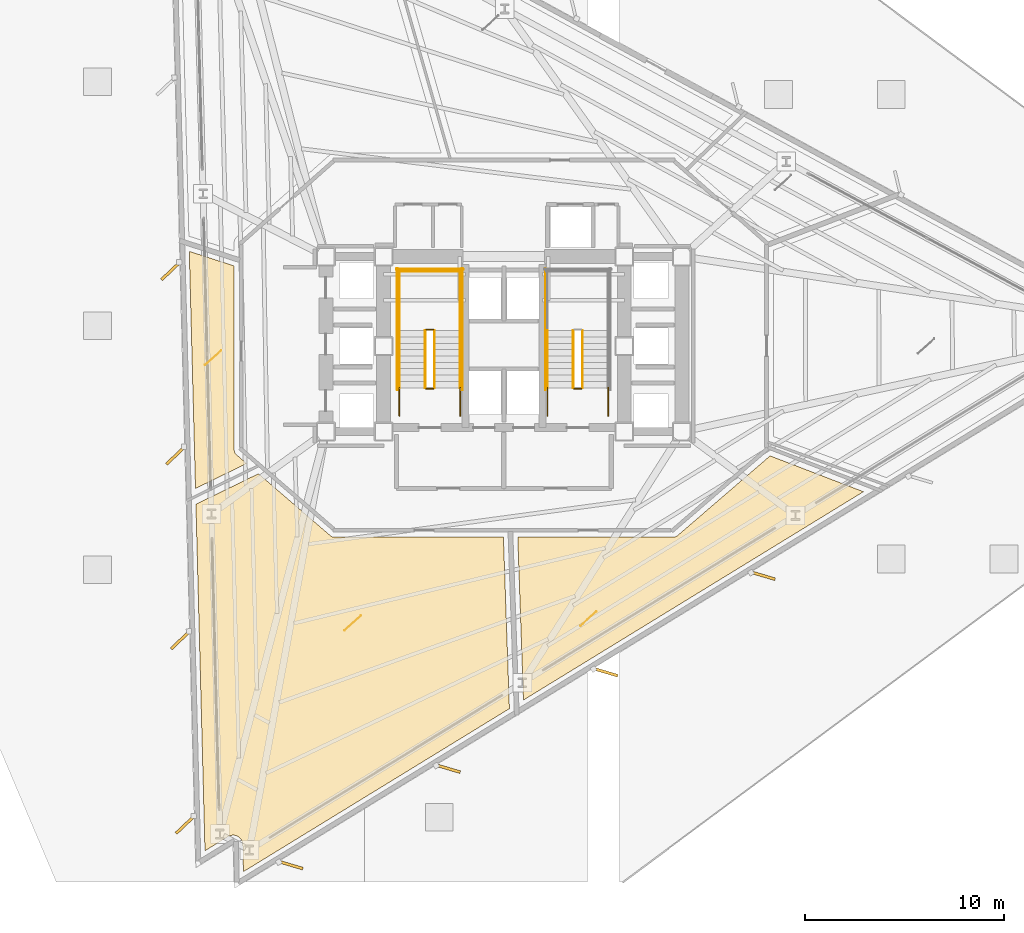
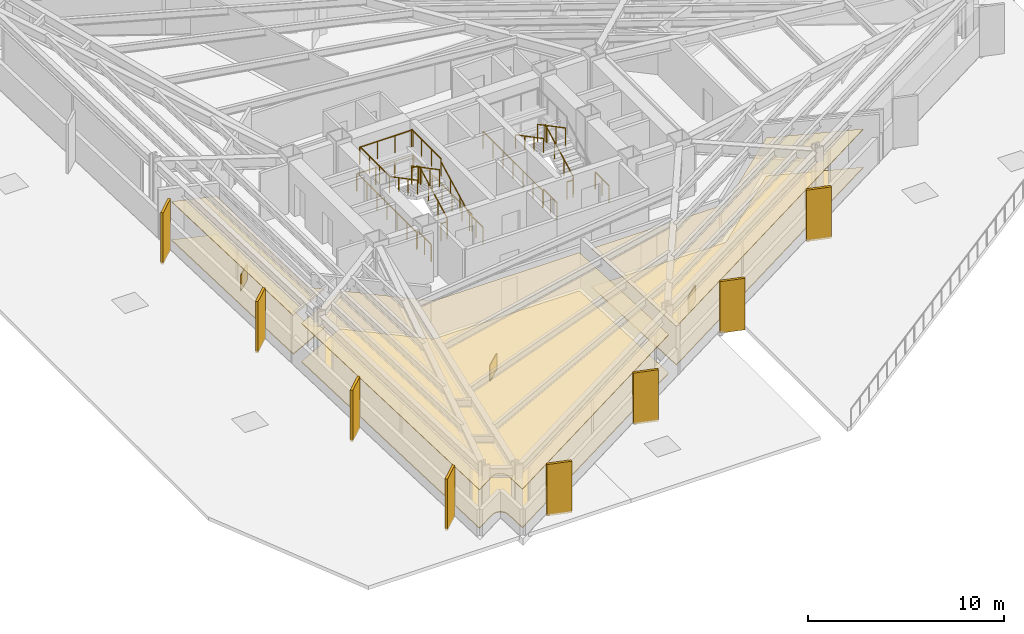
# One storey, part 11 of 13: 21 railings, 9 coverings, 8 shading devices.
"""IFC4 building model written with IfcOpenShell, lengths in metres."""

import ifcopenshell
import ifcopenshell.guid

model = None  # the IFC model being written
_history = None  # IfcOwnerHistory: only IFC2X3 demands one
_inside = {}  # id of a spatial element -> (the spatial element, [elements in it])
_under = {}  # id of a project, library or spatial element -> (it, [spatial elements below it])
_declared = {}  # id of a project -> (the project, [libraries it declares])
_typed = {}  # id of a type object -> (the type object, [elements of that type])
_made_of = {}  # id of a material, layer set ... -> (it, [elements and type objects made of it])


def new_model(schema):
    """Start an empty IFC model of exactly this schema.

    Asked for "IFC4X3", IfcOpenShell would pick the latest addendum, in which some entities
    have other attributes; the version numbers below select the first issue.
    IFC2X3 requires an IfcOwnerHistory on every rooted entity: one is made here for all.
    """
    global model, _history
    if schema == "IFC4X3":
        model = ifcopenshell.file(schema_version=(4, 3, 0, 0))
    else:
        model = ifcopenshell.file(schema=schema)
    _inside.clear()
    _under.clear()
    _declared.clear()
    _typed.clear()
    _made_of.clear()
    _history = None
    if model.schema == "IFC2X3":
        org = make("IfcOrganization", Name="unknown")
        user = make(
            "IfcPersonAndOrganization",
            ThePerson=make("IfcPerson", FamilyName="unknown"),
            TheOrganization=org,
        )
        app = make(
            "IfcApplication",
            ApplicationDeveloper=org,
            Version="unknown",
            ApplicationFullName="unknown",
            ApplicationIdentifier="unknown",
        )
        _history = make(
            "IfcOwnerHistory",
            OwningUser=user,
            OwningApplication=app,
            ChangeAction="ADDED",
            CreationDate=0,
        )
    return model


def make(cls, **values):
    """One entity of the class cls with the attributes given. An attribute that is None is left unset."""
    return model.create_entity(
        cls, **{name: value for name, value in values.items() if value is not None}
    )


def rooted(cls, **values):
    """An entity with a GlobalId (a new one), such as an element, a storey or a relation."""
    return make(cls, GlobalId=ifcopenshell.guid.new(), OwnerHistory=_history, **values)


def si_unit(unit_type, name, prefix=None):
    """IfcSIUnit, for example si_unit("LENGTHUNIT", "METRE", prefix="MILLI")."""
    return make("IfcSIUnit", UnitType=unit_type, Prefix=prefix, Name=name)


def assignment(units):
    """IfcUnitAssignment: the units of a project."""
    return None if units is None else make("IfcUnitAssignment", Units=units)


def point(xyz):
    """IfcCartesianPoint."""
    return None if xyz is None else make("IfcCartesianPoint", Coordinates=xyz)


def direction(xyz):
    """IfcDirection."""
    return None if xyz is None else make("IfcDirection", DirectionRatios=xyz)


def frame(location, z_axis=None, x_axis=None):
    """IfcAxis2Placement3D, a coordinate frame: its origin and axes. An axis left out is left unset."""
    return make(
        "IfcAxis2Placement3D",
        Location=point(location),
        Axis=direction(z_axis),
        RefDirection=direction(x_axis),
    )


def frame_2d(location, x_axis=None):
    """IfcAxis2Placement2D, a coordinate frame in the plane: its origin and x axis."""
    return make(
        "IfcAxis2Placement2D", Location=point(location), RefDirection=direction(x_axis)
    )


def origin():
    """The frame at (0, 0, 0) with its axes left unset."""
    return frame((0.0, 0.0, 0.0))


def origin_2d():
    """The frame at (0, 0) in the plane with its x axis left unset."""
    return frame_2d((0.0, 0.0))


def place(relative_to, where):
    """IfcLocalPlacement: puts the frame where relative to a parent placement (None: the world)."""
    return make(
        "IfcLocalPlacement", PlacementRelTo=relative_to, RelativePlacement=where
    )


def context(
    kind, dimensions, precision=None, world=None, true_north=None, identifier=None
):
    """IfcGeometricRepresentationContext, for example the 3D "Model" context."""
    return make(
        "IfcGeometricRepresentationContext",
        ContextIdentifier=identifier,
        ContextType=kind,
        CoordinateSpaceDimension=dimensions,
        Precision=precision,
        WorldCoordinateSystem=world,
        TrueNorth=true_north,
    )


def subcontext(parent, identifier, kind, view, scale=None):
    """IfcGeometricRepresentationSubContext, for example "Body" below "Model"."""
    return make(
        "IfcGeometricRepresentationSubContext",
        ContextIdentifier=identifier,
        ContextType=kind,
        ParentContext=parent,
        TargetScale=scale,
        TargetView=view,
    )


def project(units=None, contexts=None):
    """IfcProject with its units and contexts."""
    return rooted(
        "IfcProject",
        Name="project",
        RepresentationContexts=contexts,
        UnitsInContext=assignment(units),
    )


def spatial(cls, under=None, at=None, **own):
    """A site, building, storey or space (cls), placed at a placement, below another one or the project."""
    s = rooted(cls, ObjectPlacement=at, **own)
    if under is not None:
        _under.setdefault(under.id(), (under, []))[1].append(s)
    return s


def polyline(points):
    """IfcPolyline through the points."""
    return make("IfcPolyline", Points=[point(p) for p in points])


def profile(cls, at=None, kind="AREA", **sizes):
    """A parametric profile (cls). Its sizes go by their IFC names, for example OverallWidth=200.0."""
    return make(cls, ProfileType=kind, Position=at, **sizes)


def rectangle(**sizes):
    """IfcRectangleProfileDef."""
    return profile("IfcRectangleProfileDef", **sizes)


def outline(outer, holes=None, kind="AREA"):
    """IfcArbitraryClosedProfileDef: a profile drawn as a closed curve; with holes, ...WithVoids."""
    if holes is None:
        return make("IfcArbitraryClosedProfileDef", ProfileType=kind, OuterCurve=outer)
    return make(
        "IfcArbitraryProfileDefWithVoids",
        ProfileType=kind,
        OuterCurve=outer,
        InnerCurves=holes,
    )


def extrude(swept, where, along, depth):
    """IfcExtrudedAreaSolid: the profile swept, set in the frame where, extruded along a direction by depth."""
    return make(
        "IfcExtrudedAreaSolid",
        SweptArea=swept,
        Position=where,
        ExtrudedDirection=direction(along),
        Depth=depth,
    )


def shape(context_of_items, identifier, shape_type, items):
    """IfcShapeRepresentation: the items that make up one representation, for example the "Body"."""
    return make(
        "IfcShapeRepresentation",
        ContextOfItems=context_of_items,
        RepresentationIdentifier=identifier,
        RepresentationType=shape_type,
        Items=items,
    )


def material(Name=None, Category=None):
    """IfcMaterial."""
    return make("IfcMaterial", Name=Name, Category=Category)


def layer(
    of_material, thickness, ventilated=None, Name=None, Category=None, Priority=None
):
    """IfcMaterialLayer: one layer of a wall or slab, of a material (None: an air gap)."""
    return make(
        "IfcMaterialLayer",
        Material=of_material,
        LayerThickness=thickness,
        IsVentilated=ventilated,
        Name=Name,
        Category=Category,
        Priority=Priority,
    )


def layer_set(layers, Name=None):
    """IfcMaterialLayerSet."""
    return make("IfcMaterialLayerSet", MaterialLayers=layers, LayerSetName=Name)


def made_of(thing, what):
    """Note that an element or type object is made of a material, layer set ...; save() writes the relation."""
    if what is not None:
        _made_of.setdefault(what.id(), (what, []))[1].append(thing)
    return thing


def type_object(cls, material=None, **own):
    """A type object (cls), such as IfcWallType, which elements share."""
    return made_of(rooted(cls, **own), material)


def element(
    cls,
    number,
    at=None,
    inside=None,
    cuts=None,
    type_object=None,
    material=None,
    context=None,
    identifier="Body",
    shape_type=None,
    held_by="IfcProductDefinitionShape",
    body=None,
    shapes=None,
    **own,
):
    """One element of the class cls, such as IfcWall. Its Tag is "e" and its number.

    at: its placement. inside: the storey or other place that contains it. cuts: it is an
    opening in that element (IfcRelVoidsElement). A single representation is given by context,
    identifier, shape_type and body (its items); several are given by shapes. held_by: the class
    of the entity that holds the representations. save() writes the other relations.
    """
    e = rooted(cls, Tag="e%d" % number, ObjectPlacement=at, **own)
    if body is not None:
        shapes = [shape(context, identifier, shape_type, body)]
    if shapes is not None:
        e.Representation = make(held_by, Representations=shapes)
    if inside is not None:
        _inside.setdefault(inside.id(), (inside, []))[1].append(e)
    if cuts is not None:
        rooted(
            "IfcRelVoidsElement", RelatingBuildingElement=cuts, RelatedOpeningElement=e
        )
    if type_object is not None:
        _typed.setdefault(type_object.id(), (type_object, []))[1].append(e)
    return made_of(e, material)


def aggregate(whole, parts):
    """IfcRelAggregates: a whole, such as a stair, and the parts it consists of."""
    return rooted("IfcRelAggregates", RelatingObject=whole, RelatedObjects=parts)


def save(model, path):
    """Write the relations noted so far, then the file.

    IfcRelAggregates (storeys below a building ...), IfcRelContainedInSpatialStructure (elements
    in a storey), IfcRelDefinesByType, IfcRelAssociatesMaterial and IfcRelDeclares: one each for
    every whole, place, type object, material and project.
    """
    for whole, parts in _under.values():
        aggregate(whole, parts)
    for where, things in _inside.values():
        rooted(
            "IfcRelContainedInSpatialStructure",
            RelatedElements=things,
            RelatingStructure=where,
        )
    for kind, things in _typed.values():
        rooted("IfcRelDefinesByType", RelatedObjects=things, RelatingType=kind)
    for what, things in _made_of.values():
        rooted("IfcRelAssociatesMaterial", RelatedObjects=things, RelatingMaterial=what)
    for by, libraries in _declared.values():
        rooted("IfcRelDeclares", RelatingContext=by, RelatedDefinitions=libraries)
    model.write(path)


model = new_model("IFC4")

# Units and contexts
model_context = context("Model", 3, precision=1e-05, world=origin(), true_north=direction((0.0, 1.0)))
body_context = subcontext(model_context, "Body", "Model", "MODEL_VIEW")
ifc_project = project(units=[si_unit("LENGTHUNIT", "METRE"), si_unit("AREAUNIT", "SQUARE_METRE"), si_unit("VOLUMEUNIT", "CUBIC_METRE"), si_unit("PLANEANGLEUNIT", "RADIAN"), si_unit("MASSUNIT", "GRAM", prefix="KILO")], contexts=[model_context])

# Site, building, storey
site_placement = place(None, origin())
site = spatial("IfcSite", under=ifc_project, at=site_placement, CompositionType="ELEMENT")
building_placement = place(site_placement, origin())
building = spatial("IfcBuilding", under=site, at=building_placement, Name="Rocaltana Carrier Exchange", CompositionType="ELEMENT")
storey_placement = place(building_placement, frame((0.0, 0.0, 18.8798828125)))
storey = spatial("IfcBuildingStorey", under=building, at=storey_placement, Name="L06", CompositionType="ELEMENT", Elevation=18.8798828125)

# Coverings
ifc_material_1 = material(Name="Calcium Sulphate & Aluminium Pedestal", Category="aluminium")
ifc_layer_1 = layer(ifc_material_1, 0.06005859375)
ifc_layer_set_1 = layer_set([ifc_layer_1], Name="Calcium Sulphate & Aluminium Pedestal")
covering_type_1 = type_object("IfcCoveringType", Name="Anti-Static Raised Exchange Access Floor 60", PredefinedType="FLOORING", material=ifc_layer_set_1)
covering_1_placement = place(storey_placement, origin())
element("IfcCovering", 1, at=covering_1_placement, inside=storey, type_object=covering_type_1, Name="L06 Cloud Architecture Office Finish Floor", PredefinedType="FLOORING", context=body_context, shape_type="SweptSolid", body=[
    extrude(outline(polyline([(-15.81591796875, 4.76025390625), (-13.56005859375, 4.02734375), (-13.56005859375, -5.199951171875), (-13.559814453125, -5.21337890625), (-13.559326171875, -5.220947265625), (-13.556884765625, -5.24755859375), (-13.5556640625, -5.255126953125), (-13.550537109375, -5.281494140625), (-13.548828125, -5.288818359375), (-13.541259765625, -5.314453125), (-13.538818359375, -5.32177734375), (-13.52880859375, -5.346435546875), (-13.525634765625, -5.353515625), (-13.51318359375, -5.377197265625), (-13.509521484375, -5.3837890625), (-13.4951171875, -5.40625), (-13.490478515625, -5.41259765625), (-13.47412109375, -5.433349609375), (-13.468994140625, -5.439208984375), (-13.450439453125, -5.45849609375), (-13.44482421875, -5.4638671875), (-13.43505859375, -5.47265625), (-12.931396484375, -5.906494140625), (-15.503662109375, -7.1611328125), (-15.81591796875, 4.76025390625)])), origin(), (0.0, 0.0, 1.0), 0.06005859375),
])
covering_2_placement = place(storey_placement, origin())
element("IfcCovering", 2, at=covering_2_placement, inside=storey, type_object=covering_type_1, Name="L06 Network Operations Office Finish Floor", PredefinedType="FLOORING", context=body_context, shape_type="SweptSolid", body=[
    extrude(outline(polyline([(-13.12939453125, -25.05224609375), (-13.1298828125, -25.038330078125), (-13.131591796875, -25.018310546875), (-13.135009765625, -24.99072265625), (-13.138427734375, -24.97119140625), (-13.144775390625, -24.94384765625), (-13.150146484375, -24.9248046875), (-13.1591796875, -24.898193359375), (-13.16650390625, -24.879638671875), (-13.177978515625, -24.854248046875), (-13.18701171875, -24.83642578125), (-13.200927734375, -24.8125), (-13.2119140625, -24.795654296875), (-13.228271484375, -24.77294921875), (-13.240478515625, -24.75732421875), (-13.259033203125, -24.736572265625), (-13.273193359375, -24.722412109375), (-13.29345703125, -24.703369140625), (-13.308837890625, -24.6904296875), (-13.3310546875, -24.673583984375), (-13.34765625, -24.66259765625), (-13.371337890625, -24.64794921875), (-13.388916015625, -24.638427734375), (-13.4140625, -24.626220703125), (-13.4326171875, -24.61865234375), (-13.458740234375, -24.609130859375), (-13.477783203125, -24.603271484375), (-13.5048828125, -24.596435546875), (-13.5244140625, -24.592529296875), (-13.552001953125, -24.58837890625), (-13.57177734375, -24.58642578125), (-13.599609375, -24.5849609375), (-13.61962890625, -24.585205078125), (-13.6474609375, -24.58642578125), (-13.66748046875, -24.58837890625), (-13.695068359375, -24.5927734375), (-13.714599609375, -24.5966796875), (-13.74169921875, -24.603515625), (-13.760498046875, -24.609619140625), (-13.786865234375, -24.619140625), (-13.80517578125, -24.626708984375), (-13.830322265625, -24.638916015625), (-13.847900390625, -24.6484375), (-13.85986328125, -24.655517578125), (-15.02685546875, -25.37060546875), (-15.48291015625, -7.9521484375), (-12.337890625, -6.418212890625), (-8.735107421875, -9.522705078125), (-8.72412109375, -9.53173828125), (-8.717529296875, -9.53662109375), (-8.6943359375, -9.552978515625), (-8.6875, -9.557373046875), (-8.66259765625, -9.571044921875), (-8.6552734375, -9.57470703125), (-8.629150390625, -9.5859375), (-8.62158203125, -9.5888671875), (-8.594482421875, -9.597412109375), (-8.58642578125, -9.599365234375), (-8.55859375, -9.60498046875), (-8.550537109375, -9.606201171875), (-8.522216796875, -9.609130859375), (-8.51416015625, -9.609619140625), (-8.5, -9.610107421875), (-0.024658203125, -9.610107421875), (0.2763671875, -18.2275390625), (-13.093505859375, -26.42041015625), (-13.12939453125, -25.05224609375)])), origin(), (0.0, 0.0, 1.0), 0.06005859375),
])
covering_3_placement = place(storey_placement, origin())
element("IfcCovering", 3, at=covering_3_placement, inside=storey, type_object=covering_type_1, Name="L06 Cloud Architecture Office Finish Floor", PredefinedType="FLOORING", context=body_context, shape_type="SweptSolid", body=[
    extrude(outline(polyline([(0.981689453125, -17.795166015625), (0.69580078125, -9.610107421875), (8.5, -9.610107421875), (8.51416015625, -9.609619140625), (8.522216796875, -9.609130859375), (8.550537109375, -9.606201171875), (8.55859375, -9.60498046875), (8.58642578125, -9.599365234375), (8.594482421875, -9.597412109375), (8.62158203125, -9.5888671875), (8.629150390625, -9.5859375), (8.6552734375, -9.57470703125), (8.66259765625, -9.571044921875), (8.6875, -9.557373046875), (8.6943359375, -9.552978515625), (8.717529296875, -9.53662109375), (8.72412109375, -9.53173828125), (8.735107421875, -9.522705078125), (13.378662109375, -5.521240234375), (18.0712890625, -7.322509765625), (0.981689453125, -17.795166015625)])), origin(), (0.0, 0.0, 1.0), 0.06005859375),
])
ifc_material_2 = material(Name="Mineral Fibre & Powder-Coated Aluminium", Category="aluminium")
ifc_layer_2 = layer(ifc_material_2, 0.044921875)
ifc_layer_set_2 = layer_set([ifc_layer_2], Name="Mineral Fibre & Powder-Coated Aluminium")
covering_type_2 = type_object("IfcCoveringType", Name="Micro-Perforated Acoustic Ceiling 45", PredefinedType="CEILING", material=ifc_layer_set_2)
covering_4_placement = place(storey_placement, frame((0.0, 0.0, 2.403076171875)))
element("IfcCovering", 4, at=covering_4_placement, inside=storey, type_object=covering_type_2, Name="L06 Cloud Architecture Office Acoustic Ceiling", PredefinedType="CEILING", context=body_context, shape_type="SweptSolid", body=[
    extrude(outline(polyline([(-15.81591796875, 4.76025390625), (-13.56005859375, 4.02734375), (-13.56005859375, -5.199951171875), (-13.559814453125, -5.21337890625), (-13.559326171875, -5.220947265625), (-13.556884765625, -5.24755859375), (-13.5556640625, -5.255126953125), (-13.550537109375, -5.281494140625), (-13.548828125, -5.288818359375), (-13.541259765625, -5.314453125), (-13.538818359375, -5.32177734375), (-13.52880859375, -5.346435546875), (-13.525634765625, -5.353515625), (-13.51318359375, -5.377197265625), (-13.509521484375, -5.3837890625), (-13.4951171875, -5.40625), (-13.490478515625, -5.41259765625), (-13.47412109375, -5.433349609375), (-13.468994140625, -5.439208984375), (-13.450439453125, -5.45849609375), (-13.44482421875, -5.4638671875), (-13.43505859375, -5.47265625), (-12.931396484375, -5.906494140625), (-15.503662109375, -7.1611328125), (-15.81591796875, 4.76025390625)])), origin(), (0.0, 0.0, 1.0), 0.044921875),
])
covering_5_placement = place(storey_placement, frame((0.0, 0.0, 2.403076171875)))
element("IfcCovering", 5, at=covering_5_placement, inside=storey, type_object=covering_type_2, Name="L06 Network Operations Office Acoustic Ceiling", PredefinedType="CEILING", context=body_context, shape_type="SweptSolid", body=[
    extrude(outline(polyline([(-13.12939453125, -25.05224609375), (-13.1298828125, -25.038330078125), (-13.131591796875, -25.018310546875), (-13.135009765625, -24.99072265625), (-13.138427734375, -24.97119140625), (-13.144775390625, -24.94384765625), (-13.150146484375, -24.9248046875), (-13.1591796875, -24.898193359375), (-13.16650390625, -24.879638671875), (-13.177978515625, -24.854248046875), (-13.18701171875, -24.83642578125), (-13.200927734375, -24.8125), (-13.2119140625, -24.795654296875), (-13.228271484375, -24.77294921875), (-13.240478515625, -24.75732421875), (-13.259033203125, -24.736572265625), (-13.273193359375, -24.722412109375), (-13.29345703125, -24.703369140625), (-13.308837890625, -24.6904296875), (-13.3310546875, -24.673583984375), (-13.34765625, -24.66259765625), (-13.371337890625, -24.64794921875), (-13.388916015625, -24.638427734375), (-13.4140625, -24.626220703125), (-13.4326171875, -24.61865234375), (-13.458740234375, -24.609130859375), (-13.477783203125, -24.603271484375), (-13.5048828125, -24.596435546875), (-13.5244140625, -24.592529296875), (-13.552001953125, -24.58837890625), (-13.57177734375, -24.58642578125), (-13.599609375, -24.5849609375), (-13.61962890625, -24.585205078125), (-13.6474609375, -24.58642578125), (-13.66748046875, -24.58837890625), (-13.695068359375, -24.5927734375), (-13.714599609375, -24.5966796875), (-13.74169921875, -24.603515625), (-13.760498046875, -24.609619140625), (-13.786865234375, -24.619140625), (-13.80517578125, -24.626708984375), (-13.830322265625, -24.638916015625), (-13.847900390625, -24.6484375), (-13.85986328125, -24.655517578125), (-15.02685546875, -25.37060546875), (-15.48291015625, -7.9521484375), (-12.337890625, -6.418212890625), (-8.735107421875, -9.522705078125), (-8.72412109375, -9.53173828125), (-8.717529296875, -9.53662109375), (-8.6943359375, -9.552978515625), (-8.6875, -9.557373046875), (-8.66259765625, -9.571044921875), (-8.6552734375, -9.57470703125), (-8.629150390625, -9.5859375), (-8.62158203125, -9.5888671875), (-8.594482421875, -9.597412109375), (-8.58642578125, -9.599365234375), (-8.55859375, -9.60498046875), (-8.550537109375, -9.606201171875), (-8.522216796875, -9.609130859375), (-8.51416015625, -9.609619140625), (-8.5, -9.610107421875), (-0.024658203125, -9.610107421875), (0.2763671875, -18.2275390625), (-13.093505859375, -26.42041015625), (-13.12939453125, -25.05224609375)])), origin(), (0.0, 0.0, 1.0), 0.044921875),
])
covering_6_placement = place(storey_placement, frame((0.0, 0.0, 2.403076171875)))
element("IfcCovering", 6, at=covering_6_placement, inside=storey, type_object=covering_type_2, Name="L06 Cloud Architecture Office Acoustic Ceiling", PredefinedType="CEILING", context=body_context, shape_type="SweptSolid", body=[
    extrude(outline(polyline([(0.981689453125, -17.795166015625), (0.69580078125, -9.610107421875), (8.5, -9.610107421875), (8.51416015625, -9.609619140625), (8.522216796875, -9.609130859375), (8.550537109375, -9.606201171875), (8.55859375, -9.60498046875), (8.58642578125, -9.599365234375), (8.594482421875, -9.597412109375), (8.62158203125, -9.5888671875), (8.629150390625, -9.5859375), (8.6552734375, -9.57470703125), (8.66259765625, -9.571044921875), (8.6875, -9.557373046875), (8.6943359375, -9.552978515625), (8.717529296875, -9.53662109375), (8.72412109375, -9.53173828125), (8.735107421875, -9.522705078125), (13.378662109375, -5.521240234375), (18.0712890625, -7.322509765625), (0.981689453125, -17.795166015625)])), origin(), (0.0, 0.0, 1.0), 0.044921875),
])

# Railings
ifc_material_3 = material(Name="Brushed Architectural Stainless Tube", Category="steel")
ifc_layer_3 = layer(ifc_material_3, 0.048095703125)
ifc_layer_set_3 = layer_set([ifc_layer_3], Name="Brushed Architectural Stainless Tube")
railing_type_1 = type_object("IfcRailingType", Name="Stair Wall Handrail 920", PredefinedType="HANDRAIL", material=ifc_layer_set_3)
railing_1_placement = place(storey_placement, frame((-2.18994140625, -2.10009765625, 0.168212890625)))
element("IfcRailing", 7, at=railing_1_placement, inside=storey, type_object=railing_type_1, Name="L06 ST-1 stair handrail 1", PredefinedType="HANDRAIL", context=body_context, shape_type="SweptSolid", body=[
    extrude(rectangle(XDim=0.048095703125, YDim=0.048095703125, at=origin_2d()), frame((0.0, 0.0, 0.8759765625), z_axis=(0.0, 0.885411030485, 0.464808893091), x_axis=(-1.0, 0.0, 0.0)), (0.0, 0.0, 1.0), 3.2529296875),
    extrude(rectangle(XDim=0.0419921875, YDim=0.0419921875, at=origin_2d()), origin(), (0.0, 0.0, 1.0), 0.851806640625),
    extrude(rectangle(XDim=0.0419921875, YDim=0.0419921875, at=origin_2d()), frame((0.0, 0.9599609375, 0.50390625)), (0.0, 0.0, 1.0), 0.851806640625),
    extrude(rectangle(XDim=0.0419921875, YDim=0.0419921875, at=origin_2d()), frame((0.0, 1.920166015625, 1.008056640625)), (0.0, 0.0, 1.0), 0.851806640625),
    extrude(rectangle(XDim=0.0419921875, YDim=0.0419921875, at=origin_2d()), frame((0.0, 2.880126953125, 1.511962890625)), (0.0, 0.0, 1.0), 0.851806640625),
])
for number, where, name in (
    (8, (-5.25, 0.780029296875, 1.84814453125), "L06 ST-1 stair handrail 2"),
    (9, (2.18994140625, 0.780029296875, 1.84814453125), "L06 ST-2 stair handrail 2"),
):
    element("IfcRailing", number, at=place(storey_placement, frame(where)), inside=storey, type_object=railing_type_1, Name=name, PredefinedType="HANDRAIL", context=body_context, shape_type="SweptSolid", body=[
        extrude(rectangle(XDim=0.048095703125, YDim=0.048095703125, at=origin_2d()), frame((0.0, 0.0, 0.8759765625), z_axis=(0.0, -0.885411030485, 0.464808893091), x_axis=(1.0, 0.0, 0.0)), (0.0, 0.0, 1.0), 3.2529296875),
        extrude(rectangle(XDim=0.0419921875, YDim=0.0419921875, at=origin_2d()), origin(), (0.0, 0.0, 1.0), 0.851806640625),
        extrude(rectangle(XDim=0.0419921875, YDim=0.0419921875, at=origin_2d()), frame((0.0, -0.9599609375, 0.50390625)), (0.0, 0.0, 1.0), 0.851806640625),
        extrude(rectangle(XDim=0.0419921875, YDim=0.0419921875, at=origin_2d()), frame((0.0, -1.920166015625, 1.008056640625)), (0.0, 0.0, 1.0), 0.851806640625),
        extrude(rectangle(XDim=0.0419921875, YDim=0.0419921875, at=origin_2d()), frame((0.0, -2.880126953125, 1.511962890625)), (0.0, 0.0, 1.0), 0.851806640625),
    ])
ifc_material_4 = material(Name="Powder-Coated Aluminium 6063-T6", Category="aluminium")
ifc_layer_4 = layer(ifc_material_4, 0.048095703125)
ifc_layer_set_4 = layer_set([ifc_layer_4], Name="Powder-Coated Aluminium 6063-T6")
railing_type_2 = type_object("IfcRailingType", Name="Stair Well Guardrail 1100", PredefinedType="GUARDRAIL", material=ifc_layer_set_4)
railing_2_placement = place(storey_placement, frame((-3.489990234375, -2.10009765625, 0.168212890625)))
element("IfcRailing", 10, at=railing_2_placement, inside=storey, type_object=railing_type_2, Name="L06 ST-1 stair guard 1", PredefinedType="GUARDRAIL", context=body_context, shape_type="SweptSolid", body=[
    extrude(rectangle(XDim=0.048095703125, YDim=0.048095703125, at=origin_2d()), frame((0.0, 0.0, 1.076171875), z_axis=(0.0, 0.885411030485, 0.464808893091), x_axis=(-1.0, 0.0, 0.0)), (0.0, 0.0, 1.0), 3.2529296875),
    extrude(rectangle(XDim=0.0419921875, YDim=0.0419921875, at=origin_2d()), origin(), (0.0, 0.0, 1.0), 1.052001953125),
    extrude(rectangle(XDim=0.0419921875, YDim=0.0419921875, at=origin_2d()), frame((0.0, 0.9599609375, 0.50390625)), (0.0, 0.0, 1.0), 1.052001953125),
    extrude(rectangle(XDim=0.0419921875, YDim=0.0419921875, at=origin_2d()), frame((0.0, 1.920166015625, 1.008056640625)), (0.0, 0.0, 1.0), 1.052001953125),
    extrude(rectangle(XDim=0.0419921875, YDim=0.0419921875, at=origin_2d()), frame((0.0, 2.880126953125, 1.511962890625)), (0.0, 0.0, 1.0), 1.052001953125),
])
railing_3_placement = place(storey_placement, frame((-3.5400390625, 0.830078125, 1.68017578125)))
element("IfcRailing", 11, at=railing_3_placement, inside=storey, type_object=railing_type_2, Name="L06 ST-1 stair guard 2", PredefinedType="GUARDRAIL", context=body_context, shape_type="SweptSolid", body=[
    extrude(rectangle(XDim=0.048095703125, YDim=0.048095703125, at=origin_2d()), frame((0.0, 0.0, 1.076171875), z_axis=(-1.0, 0.0, 0.0), x_axis=(0.0, -1.0, 0.0)), (0.0, 0.0, 1.0), 0.35986328125),
    extrude(rectangle(XDim=0.0419921875, YDim=0.0419921875, at=origin_2d()), origin(), (0.0, 0.0, 1.0), 1.052001953125),
    extrude(rectangle(XDim=0.0419921875, YDim=0.0419921875, at=origin_2d()), frame((-0.35986328125, 0.0, 0.0)), (0.0, 0.0, 1.0), 1.052001953125),
])
for number, where, name in (
    (12, (-2.18994140625, 0.780029296875, 1.68017578125), "L06 ST-1 stair guard 3"),
    (13, (-5.25, 0.780029296875, 1.68017578125), "L06 ST-1 stair guard 4"),
):
    element("IfcRailing", number, at=place(storey_placement, frame(where)), inside=storey, type_object=railing_type_2, Name=name, PredefinedType="GUARDRAIL", context=body_context, shape_type="SweptSolid", body=[
        extrude(rectangle(XDim=0.048095703125, YDim=0.048095703125, at=origin_2d()), frame((0.0, 0.0, 1.076171875), z_axis=(0.0, 1.0, 0.0), x_axis=(-1.0, 0.0, 0.0)), (0.0, 0.0, 1.0), 3.02001953125),
        extrude(rectangle(XDim=0.0419921875, YDim=0.0419921875, at=origin_2d()), origin(), (0.0, 0.0, 1.0), 1.052001953125),
        extrude(rectangle(XDim=0.0419921875, YDim=0.0419921875, at=origin_2d()), frame((0.0, 1.006591796875, 0.0)), (0.0, 0.0, 1.0), 1.052001953125),
        extrude(rectangle(XDim=0.0419921875, YDim=0.0419921875, at=origin_2d()), frame((0.0, 2.013427734375, 0.0)), (0.0, 0.0, 1.0), 1.052001953125),
        extrude(rectangle(XDim=0.0419921875, YDim=0.0419921875, at=origin_2d()), frame((0.0, 3.02001953125, 0.0)), (0.0, 0.0, 1.0), 1.052001953125),
    ])
railing_4_placement = place(storey_placement, frame((-2.139892578125, 3.75, 1.68017578125)))
element("IfcRailing", 14, at=railing_4_placement, inside=storey, type_object=railing_type_2, Name="L06 ST-1 stair guard 5", PredefinedType="GUARDRAIL", context=body_context, shape_type="SweptSolid", body=[
    extrude(rectangle(XDim=0.048095703125, YDim=0.048095703125, at=origin_2d()), frame((0.0, 0.0, 1.076171875), z_axis=(-1.0, 0.0, 0.0), x_axis=(0.0, -1.0, 0.0)), (0.0, 0.0, 1.0), 3.16015625),
    extrude(rectangle(XDim=0.0419921875, YDim=0.0419921875, at=origin_2d()), origin(), (0.0, 0.0, 1.0), 1.052001953125),
    extrude(rectangle(XDim=0.0419921875, YDim=0.0419921875, at=origin_2d()), frame((-1.053466796875, 0.0, 0.0)), (0.0, 0.0, 1.0), 1.052001953125),
    extrude(rectangle(XDim=0.0419921875, YDim=0.0419921875, at=origin_2d()), frame((-2.106689453125, 0.0, 0.0)), (0.0, 0.0, 1.0), 1.052001953125),
    extrude(rectangle(XDim=0.0419921875, YDim=0.0419921875, at=origin_2d()), frame((-3.16015625, 0.0, 0.0)), (0.0, 0.0, 1.0), 1.052001953125),
])
railing_5_placement = place(storey_placement, frame((-3.949951171875, 0.780029296875, 1.84814453125)))
element("IfcRailing", 15, at=railing_5_placement, inside=storey, type_object=railing_type_2, Name="L06 ST-1 stair guard 6", PredefinedType="GUARDRAIL", context=body_context, shape_type="SweptSolid", body=[
    extrude(rectangle(XDim=0.048095703125, YDim=0.048095703125, at=origin_2d()), frame((0.0, 0.0, 1.076171875), z_axis=(0.0, -0.885411030485, 0.464808893091), x_axis=(1.0, 0.0, 0.0)), (0.0, 0.0, 1.0), 3.2529296875),
    extrude(rectangle(XDim=0.0419921875, YDim=0.0419921875, at=origin_2d()), origin(), (0.0, 0.0, 1.0), 1.052001953125),
    extrude(rectangle(XDim=0.0419921875, YDim=0.0419921875, at=origin_2d()), frame((0.0, -0.9599609375, 0.50390625)), (0.0, 0.0, 1.0), 1.052001953125),
    extrude(rectangle(XDim=0.0419921875, YDim=0.0419921875, at=origin_2d()), frame((0.0, -1.920166015625, 1.008056640625)), (0.0, 0.0, 1.0), 1.052001953125),
    extrude(rectangle(XDim=0.0419921875, YDim=0.0419921875, at=origin_2d()), frame((0.0, -2.880126953125, 1.511962890625)), (0.0, 0.0, 1.0), 1.052001953125),
])
railing_6_placement = place(storey_placement, frame((-3.5400390625, -2.14990234375, 0.0)))
element("IfcRailing", 16, at=railing_6_placement, inside=storey, type_object=railing_type_2, Name="L06 ST-1 stair guard 7", PredefinedType="GUARDRAIL", context=body_context, shape_type="SweptSolid", body=[
    extrude(rectangle(XDim=0.048095703125, YDim=0.048095703125, at=origin_2d()), frame((0.0, 0.0, 1.076171875), z_axis=(-1.0, 0.0, 0.0), x_axis=(0.0, -1.0, 0.0)), (0.0, 0.0, 1.0), 0.35986328125),
    extrude(rectangle(XDim=0.0419921875, YDim=0.0419921875, at=origin_2d()), origin(), (0.0, 0.0, 1.0), 1.052001953125),
    extrude(rectangle(XDim=0.0419921875, YDim=0.0419921875, at=origin_2d()), frame((-0.35986328125, 0.0, 0.0)), (0.0, 0.0, 1.0), 1.052001953125),
])
for number, where, name in (
    (17, (-2.18994140625, -3.5, 0.0), "L06 ST-1 stair guard 8"),
    (18, (-5.25, -3.5, 0.0), "L06 ST-1 stair guard 9"),
):
    element("IfcRailing", number, at=place(storey_placement, frame(where)), inside=storey, type_object=railing_type_2, Name=name, PredefinedType="GUARDRAIL", context=body_context, shape_type="SweptSolid", body=[
        extrude(rectangle(XDim=0.048095703125, YDim=0.048095703125, at=origin_2d()), frame((0.0, 0.0, 1.076171875), z_axis=(0.0, 1.0, 0.0), x_axis=(-1.0, 0.0, 0.0)), (0.0, 0.0, 1.0), 1.39990234375),
        extrude(rectangle(XDim=0.0419921875, YDim=0.0419921875, at=origin_2d()), origin(), (0.0, 0.0, 1.0), 1.052001953125),
        extrude(rectangle(XDim=0.0419921875, YDim=0.0419921875, at=origin_2d()), frame((0.0, 0.699951171875, 0.0)), (0.0, 0.0, 1.0), 1.052001953125),
        extrude(rectangle(XDim=0.0419921875, YDim=0.0419921875, at=origin_2d()), frame((0.0, 1.39990234375, 0.0)), (0.0, 0.0, 1.0), 1.052001953125),
    ])
for number, where, name in (
    (19, (-2.090087890625, -2.199951171875, 0.0), "L06 ST-1 stair guard 10"),
    (20, (-5.35009765625, -2.199951171875, 0.0), "L06 ST-1 stair guard 11"),
):
    element("IfcRailing", number, at=place(storey_placement, frame(where)), inside=storey, type_object=railing_type_2, Name=name, PredefinedType="GUARDRAIL", context=body_context, shape_type="SweptSolid", body=[
        extrude(rectangle(XDim=0.048095703125, YDim=0.048095703125, at=origin_2d()), frame((0.0, 0.0, 1.076171875), z_axis=(0.0, 1.0, 0.0), x_axis=(-1.0, 0.0, 0.0)), (0.0, 0.0, 1.0), 6.099853515625),
        extrude(rectangle(XDim=0.0419921875, YDim=0.0419921875, at=origin_2d()), origin(), (0.0, 0.0, 1.0), 1.052001953125),
        extrude(rectangle(XDim=0.0419921875, YDim=0.0419921875, at=origin_2d()), frame((0.0, 1.0166015625, 0.0)), (0.0, 0.0, 1.0), 1.052001953125),
        extrude(rectangle(XDim=0.0419921875, YDim=0.0419921875, at=origin_2d()), frame((0.0, 2.033203125, 0.0)), (0.0, 0.0, 1.0), 1.052001953125),
        extrude(rectangle(XDim=0.0419921875, YDim=0.0419921875, at=origin_2d()), frame((0.0, 3.0498046875, 0.0)), (0.0, 0.0, 1.0), 1.052001953125),
        extrude(rectangle(XDim=0.0419921875, YDim=0.0419921875, at=origin_2d()), frame((0.0, 4.066650390625, 0.0)), (0.0, 0.0, 1.0), 1.052001953125),
        extrude(rectangle(XDim=0.0419921875, YDim=0.0419921875, at=origin_2d()), frame((0.0, 5.083251953125, 0.0)), (0.0, 0.0, 1.0), 1.052001953125),
        extrude(rectangle(XDim=0.0419921875, YDim=0.0419921875, at=origin_2d()), frame((0.0, 6.099853515625, 0.0)), (0.0, 0.0, 1.0), 1.052001953125),
    ])
railing_7_placement = place(storey_placement, frame((-2.0400390625, 3.85009765625, 0.0)))
element("IfcRailing", 21, at=railing_7_placement, inside=storey, type_object=railing_type_2, Name="L06 ST-1 stair guard 12", PredefinedType="GUARDRAIL", context=body_context, shape_type="SweptSolid", body=[
    extrude(rectangle(XDim=0.048095703125, YDim=0.048095703125, at=origin_2d()), frame((0.0, 0.0, 1.076171875), z_axis=(-1.0, 0.0, 0.0), x_axis=(0.0, -1.0, 0.0)), (0.0, 0.0, 1.0), 3.35986328125),
    extrude(rectangle(XDim=0.0419921875, YDim=0.0419921875, at=origin_2d()), origin(), (0.0, 0.0, 1.0), 1.052001953125),
    extrude(rectangle(XDim=0.0419921875, YDim=0.0419921875, at=origin_2d()), frame((-1.119873046875, 0.0, 0.0)), (0.0, 0.0, 1.0), 1.052001953125),
    extrude(rectangle(XDim=0.0419921875, YDim=0.0419921875, at=origin_2d()), frame((-2.239990234375, 0.0, 0.0)), (0.0, 0.0, 1.0), 1.052001953125),
    extrude(rectangle(XDim=0.0419921875, YDim=0.0419921875, at=origin_2d()), frame((-3.35986328125, 0.0, 0.0)), (0.0, 0.0, 1.0), 1.052001953125),
])
railing_8_placement = place(storey_placement, frame((3.949951171875, -2.10009765625, 0.168212890625)))
element("IfcRailing", 22, at=railing_8_placement, inside=storey, type_object=railing_type_2, Name="L06 ST-2 stair guard 1", PredefinedType="GUARDRAIL", context=body_context, shape_type="SweptSolid", body=[
    extrude(rectangle(XDim=0.048095703125, YDim=0.048095703125, at=origin_2d()), frame((0.0, 0.0, 1.076171875), z_axis=(0.0, 0.885411030485, 0.464808893091), x_axis=(-1.0, 0.0, 0.0)), (0.0, 0.0, 1.0), 3.2529296875),
    extrude(rectangle(XDim=0.0419921875, YDim=0.0419921875, at=origin_2d()), origin(), (0.0, 0.0, 1.0), 1.052001953125),
    extrude(rectangle(XDim=0.0419921875, YDim=0.0419921875, at=origin_2d()), frame((0.0, 0.9599609375, 0.50390625)), (0.0, 0.0, 1.0), 1.052001953125),
    extrude(rectangle(XDim=0.0419921875, YDim=0.0419921875, at=origin_2d()), frame((0.0, 1.920166015625, 1.008056640625)), (0.0, 0.0, 1.0), 1.052001953125),
    extrude(rectangle(XDim=0.0419921875, YDim=0.0419921875, at=origin_2d()), frame((0.0, 2.880126953125, 1.511962890625)), (0.0, 0.0, 1.0), 1.052001953125),
])
railing_9_placement = place(storey_placement, frame((3.489990234375, 0.780029296875, 1.84814453125)))
element("IfcRailing", 23, at=railing_9_placement, inside=storey, type_object=railing_type_2, Name="L06 ST-2 stair guard 6", PredefinedType="GUARDRAIL", context=body_context, shape_type="SweptSolid", body=[
    extrude(rectangle(XDim=0.048095703125, YDim=0.048095703125, at=origin_2d()), frame((0.0, 0.0, 1.076171875), z_axis=(0.0, -0.885411030485, 0.464808893091), x_axis=(1.0, 0.0, 0.0)), (0.0, 0.0, 1.0), 3.2529296875),
    extrude(rectangle(XDim=0.0419921875, YDim=0.0419921875, at=origin_2d()), origin(), (0.0, 0.0, 1.0), 1.052001953125),
    extrude(rectangle(XDim=0.0419921875, YDim=0.0419921875, at=origin_2d()), frame((0.0, -0.9599609375, 0.50390625)), (0.0, 0.0, 1.0), 1.052001953125),
    extrude(rectangle(XDim=0.0419921875, YDim=0.0419921875, at=origin_2d()), frame((0.0, -1.920166015625, 1.008056640625)), (0.0, 0.0, 1.0), 1.052001953125),
    extrude(rectangle(XDim=0.0419921875, YDim=0.0419921875, at=origin_2d()), frame((0.0, -2.880126953125, 1.511962890625)), (0.0, 0.0, 1.0), 1.052001953125),
])
railing_10_placement = place(storey_placement, frame((3.89990234375, -2.14990234375, 0.0)))
element("IfcRailing", 24, at=railing_10_placement, inside=storey, type_object=railing_type_2, Name="L06 ST-2 stair guard 7", PredefinedType="GUARDRAIL", context=body_context, shape_type="SweptSolid", body=[
    extrude(rectangle(XDim=0.048095703125, YDim=0.048095703125, at=origin_2d()), frame((0.0, 0.0, 1.076171875), z_axis=(-1.0, 0.0, 0.0), x_axis=(0.0, -1.0, 0.0)), (0.0, 0.0, 1.0), 0.35986328125),
    extrude(rectangle(XDim=0.0419921875, YDim=0.0419921875, at=origin_2d()), origin(), (0.0, 0.0, 1.0), 1.052001953125),
    extrude(rectangle(XDim=0.0419921875, YDim=0.0419921875, at=origin_2d()), frame((-0.35986328125, 0.0, 0.0)), (0.0, 0.0, 1.0), 1.052001953125),
])
for number, where, name in (
    (25, (5.25, -3.5, 0.0), "L06 ST-2 stair guard 8"),
    (26, (2.18994140625, -3.5, 0.0), "L06 ST-2 stair guard 9"),
):
    element("IfcRailing", number, at=place(storey_placement, frame(where)), inside=storey, type_object=railing_type_2, Name=name, PredefinedType="GUARDRAIL", context=body_context, shape_type="SweptSolid", body=[
        extrude(rectangle(XDim=0.048095703125, YDim=0.048095703125, at=origin_2d()), frame((0.0, 0.0, 1.076171875), z_axis=(0.0, 1.0, 0.0), x_axis=(-1.0, 0.0, 0.0)), (0.0, 0.0, 1.0), 1.39990234375),
        extrude(rectangle(XDim=0.0419921875, YDim=0.0419921875, at=origin_2d()), origin(), (0.0, 0.0, 1.0), 1.052001953125),
        extrude(rectangle(XDim=0.0419921875, YDim=0.0419921875, at=origin_2d()), frame((0.0, 0.699951171875, 0.0)), (0.0, 0.0, 1.0), 1.052001953125),
        extrude(rectangle(XDim=0.0419921875, YDim=0.0419921875, at=origin_2d()), frame((0.0, 1.39990234375, 0.0)), (0.0, 0.0, 1.0), 1.052001953125),
    ])
railing_11_placement = place(storey_placement, frame((2.090087890625, -2.199951171875, 0.0)))
element("IfcRailing", 27, at=railing_11_placement, inside=storey, type_object=railing_type_2, Name="L06 ST-2 stair guard 11", PredefinedType="GUARDRAIL", context=body_context, shape_type="SweptSolid", body=[
    extrude(rectangle(XDim=0.048095703125, YDim=0.048095703125, at=origin_2d()), frame((0.0, 0.0, 1.076171875), z_axis=(0.0, 1.0, 0.0), x_axis=(-1.0, 0.0, 0.0)), (0.0, 0.0, 1.0), 6.099853515625),
    extrude(rectangle(XDim=0.0419921875, YDim=0.0419921875, at=origin_2d()), origin(), (0.0, 0.0, 1.0), 1.052001953125),
    extrude(rectangle(XDim=0.0419921875, YDim=0.0419921875, at=origin_2d()), frame((0.0, 1.0166015625, 0.0)), (0.0, 0.0, 1.0), 1.052001953125),
    extrude(rectangle(XDim=0.0419921875, YDim=0.0419921875, at=origin_2d()), frame((0.0, 2.033203125, 0.0)), (0.0, 0.0, 1.0), 1.052001953125),
    extrude(rectangle(XDim=0.0419921875, YDim=0.0419921875, at=origin_2d()), frame((0.0, 3.0498046875, 0.0)), (0.0, 0.0, 1.0), 1.052001953125),
    extrude(rectangle(XDim=0.0419921875, YDim=0.0419921875, at=origin_2d()), frame((0.0, 4.066650390625, 0.0)), (0.0, 0.0, 1.0), 1.052001953125),
    extrude(rectangle(XDim=0.0419921875, YDim=0.0419921875, at=origin_2d()), frame((0.0, 5.083251953125, 0.0)), (0.0, 0.0, 1.0), 1.052001953125),
    extrude(rectangle(XDim=0.0419921875, YDim=0.0419921875, at=origin_2d()), frame((0.0, 6.099853515625, 0.0)), (0.0, 0.0, 1.0), 1.052001953125),
])

# Coverings
ifc_material_5 = material(Name="Honed Piedra Muneca Sandstone", Category="masonry")
ifc_layer_5 = layer(ifc_material_5, 0.034912109375)
ifc_layer_set_5 = layer_set([ifc_layer_5], Name="Honed Piedra Muneca Sandstone")
covering_type_3 = type_object("IfcCoveringType", Name="Stone Facade Cladding 35", PredefinedType="CLADDING", material=ifc_layer_set_5)
for number, where, z_axis, x_axis, name in (
    (28, (-14.617919921875, -0.586181640625, 0.0), (0.0, 0.0, 1.0), (0.743144825477, 0.669130606359, 0.0), "L06 Stone Facade Cladding Panel 1"),
    (29, (-7.600341796875, -13.918701171875, 0.0), (0.0, 0.0, 1.0), (0.743144825477, 0.669130606359, 0.0), "L06 Stone Facade Cladding Panel 2"),
    (30, (4.24951171875, -13.70263671875, 0.0), (0.0, 0.0, 1.0), (0.743144825477, 0.669130606359, 0.0), "L06 Stone Facade Cladding Panel 3"),
):
    element("IfcCovering", number, at=place(storey_placement, frame(where, z_axis=z_axis, x_axis=x_axis)), inside=storey, type_object=covering_type_3, Name=name, PredefinedType="CLADDING", context=body_context, shape_type="SweptSolid", body=[
        extrude(rectangle(XDim=1.10009765625, YDim=0.034912109375, at=origin_2d()), origin(), (0.0, 0.0, 1.0), 1.050048828125),
    ])

# Shading devices
ifc_material_6 = material(Name="Honed Bogota Sandstone & Concrete C45/55", Category="masonry")
ifc_layer_6 = layer(ifc_material_6, 0.139892578125)
ifc_layer_set_6 = layer_set([ifc_layer_6], Name="Honed Bogota Sandstone & Concrete C45/55")
shading_device_type = type_object("IfcShadingDeviceType", Name="Vertical Sandstone Shading Fin 1320x140", PredefinedType="USERDEFINED", material=ifc_layer_set_6)
for number, where, z_axis, x_axis, name in (
    (31, (-16.7314453125, 3.78857421875, -0.1201171875), (0.0, 0.0, 1.0), (-0.725374371012, -0.688354575694, 0.0), "L06 Sandstone Vertical Fin F2-03"),
    (32, (-16.488525390625, -5.48828125, -0.1201171875), (0.0, 0.0, 1.0), (-0.725374371012, -0.688354575694, 0.0), "L06 Sandstone Vertical Fin F2-04"),
    (33, (-16.24560546875, -14.76513671875, -0.1201171875), (0.0, 0.0, 1.0), (-0.725374371012, -0.688354575694, 0.0), "L06 Sandstone Vertical Fin F2-05"),
    (34, (-16.002685546875, -24.0419921875, -0.1201171875), (0.0, 0.0, 1.0), (-0.725374371012, -0.688354575694, 0.0), "L06 Sandstone Vertical Fin F2-06"),
    (35, (-10.740234375, -26.081787109375, -0.1201171875), (0.0, 0.0, 1.0), (0.958819734868, -0.284015344704, 0.0), "L06 Sandstone Vertical Fin F3-01"),
    (36, (-2.82763671875, -21.23291015625, -0.1201171875), (0.0, 0.0, 1.0), (0.958819734868, -0.284015344704, 0.0), "L06 Sandstone Vertical Fin F3-02"),
    (37, (5.084716796875, -16.384033203125, -0.1201171875), (0.0, 0.0, 1.0), (0.958819734868, -0.284015344704, 0.0), "L06 Sandstone Vertical Fin F3-03"),
    (38, (12.997314453125, -11.535400390625, -0.1201171875), (0.0, 0.0, 1.0), (0.958819734868, -0.284015344704, 0.0), "L06 Sandstone Vertical Fin F3-04"),
):
    element("IfcShadingDevice", number, at=place(storey_placement, frame(where, z_axis=z_axis, x_axis=x_axis)), inside=storey, type_object=shading_device_type, Name=name, ObjectType="FIN", PredefinedType="USERDEFINED", context=body_context, shape_type="SweptSolid", body=[
        extrude(rectangle(XDim=1.320068359375, YDim=0.139892578125, at=origin_2d()), origin(), (0.0, 0.0, 1.0), 3.218017578125),
    ])

save(model, "model.ifc")
